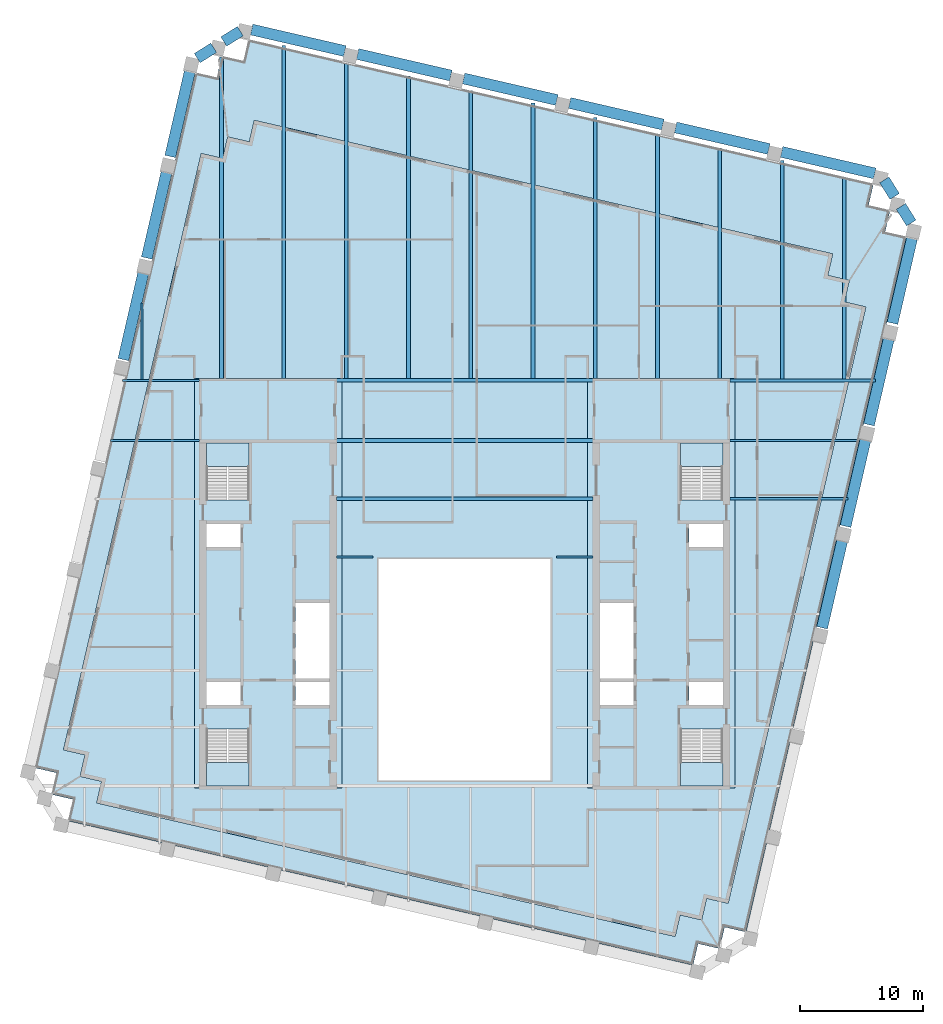
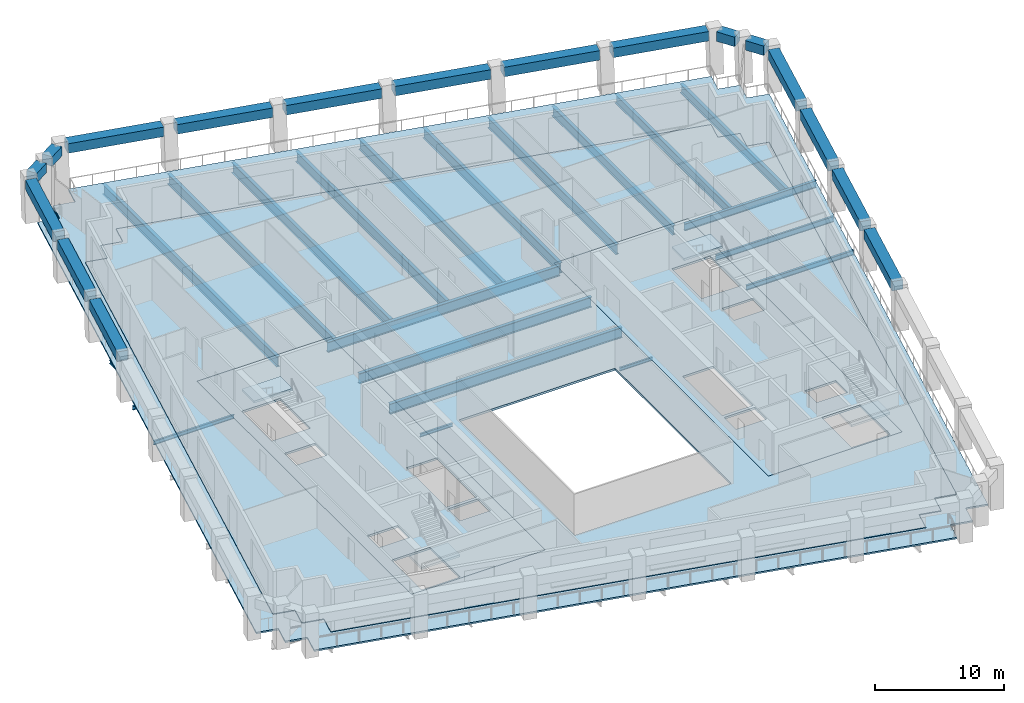
# One storey, part 2 of 9: 39 beams, 8 slabs, 4 elements without a shape of their own.
"""IFC4 building model written with IfcOpenShell, lengths in metres."""

from ifc_helpers import new_model, si_unit, direction, frame, origin, origin_2d, place, context, subcontext, project, spatial, polyline, rectangle, i_section, outline, extrude, material, layer, layer_set, material_profile, profile_set, type_object, element, aggregate, save


model = new_model("IFC4")

# Units and contexts
model_context = context("Model", 3, precision=1e-05, world=origin(), true_north=direction((0.0, 1.0)))
body_context = subcontext(model_context, "Body", "Model", "MODEL_VIEW")
ifc_project = project(units=[si_unit("LENGTHUNIT", "METRE"), si_unit("AREAUNIT", "SQUARE_METRE"), si_unit("VOLUMEUNIT", "CUBIC_METRE"), si_unit("PLANEANGLEUNIT", "RADIAN"), si_unit("MASSUNIT", "GRAM", prefix="KILO")], contexts=[model_context])

# Site, building, storey
site_placement = place(None, origin())
site = spatial("IfcSite", under=ifc_project, at=site_placement, CompositionType="ELEMENT")
building_placement = place(site_placement, origin())
building = spatial("IfcBuilding", under=site, at=building_placement, Name="Ogive Exchange Tower", CompositionType="ELEMENT")
storey_placement = place(building_placement, frame((0.0, 0.0, 285.0)))
storey = spatial("IfcBuildingStorey", under=building, at=storey_placement, Name="L62", CompositionType="ELEMENT", Elevation=285.0)

# Beams
ifc_material_1 = material(Name="Steel ASTM A992 Gr50", Category="steel")
ifc_material_profile_1 = material_profile(ifc_material_1, i_section(OverallWidth=0.300048828125, OverallDepth=0.969970703125, WebThickness=0.01611328125, FlangeThickness=0.02099609375, at=origin_2d()), Name="W1000x222")
ifc_profile_set_1 = profile_set([ifc_material_profile_1], Name="Steel ASTM A992 Gr50")
beam_type_1 = type_object("IfcBeamType", Name="Floor beam W1000x222", PredefinedType="JOIST", material=ifc_profile_set_1)
beam_1_placement = place(storey_placement, frame((15.69189453125, 30.699951171875, -0.68505859375), z_axis=(0.0, 1.0, 0.0), x_axis=(-1.0, 0.0, 0.0)))
element("IfcBeam", 1, at=beam_1_placement, inside=storey, type_object=beam_type_1, Name="Floor beam", PredefinedType="JOIST", context=body_context, shape_type="SweptSolid", body=[
    extrude(i_section(OverallWidth=0.300048828125, OverallDepth=0.969970703125, WebThickness=0.01611328125, FlangeThickness=0.02099609375, at=origin_2d()), origin(), (0.0, 0.0, 1.0), 19.90673828125),
])
ifc_material_profile_2 = material_profile(ifc_material_1, i_section(OverallWidth=0.300048828125, OverallDepth=0.97998046875, WebThickness=0.0166015625, FlangeThickness=0.026123046875, at=origin_2d()), Name="W1000x249")
ifc_profile_set_2 = profile_set([ifc_material_profile_2], Name="Steel ASTM A992 Gr50")
beam_type_2 = type_object("IfcBeamType", Name="Floor beam W1000x249", PredefinedType="JOIST", material=ifc_profile_set_2)
for number, where, z_axis, x_axis, name in (
    (2, (-10.419921875, 20.89990234375, -0.68994140625), (1.0, 0.0, 0.0), (0.0, 1.0, 0.0), "Floor beam"),
    (3, (-10.419921875, 25.64501953125, -0.68994140625), (1.0, 0.0, 0.0), (0.0, 1.0, 0.0), "Floor beam"),
):
    element("IfcBeam", number, at=place(storey_placement, frame(where, z_axis=z_axis, x_axis=x_axis)), inside=storey, type_object=beam_type_2, Name=name, PredefinedType="JOIST", context=body_context, shape_type="SweptSolid", body=[
        extrude(i_section(OverallWidth=0.300048828125, OverallDepth=0.97998046875, WebThickness=0.0166015625, FlangeThickness=0.026123046875, at=origin_2d()), origin(), (0.0, 0.0, 1.0), 20.83984375),
    ])
beam_2_placement = place(storey_placement, frame((-19.777587890625, 30.699951171875, -0.68994140625), z_axis=(0.0, 1.0, 0.0), x_axis=(-1.0, 0.0, 0.0)))
element("IfcBeam", 4, at=beam_2_placement, inside=storey, type_object=beam_type_2, Name="Floor beam", PredefinedType="JOIST", context=body_context, shape_type="SweptSolid", body=[
    extrude(i_section(OverallWidth=0.300048828125, OverallDepth=0.97998046875, WebThickness=0.0166015625, FlangeThickness=0.026123046875, at=origin_2d()), origin(), (0.0, 0.0, 1.0), 26.1611328125),
])
beam_3_placement = place(storey_placement, frame((-14.71044921875, 30.699951171875, -0.68994140625), z_axis=(0.0, 1.0, 0.0), x_axis=(-1.0, 0.0, 0.0)))
element("IfcBeam", 5, at=beam_3_placement, inside=storey, type_object=beam_type_2, Name="Floor beam", PredefinedType="JOIST", context=body_context, shape_type="SweptSolid", body=[
    extrude(i_section(OverallWidth=0.300048828125, OverallDepth=0.97998046875, WebThickness=0.0166015625, FlangeThickness=0.026123046875, at=origin_2d()), origin(), (0.0, 0.0, 1.0), 27.075439453125),
])
beam_4_placement = place(storey_placement, frame((-9.643310546875, 30.695068359375, -0.68994140625), z_axis=(0.0, 1.0, 0.0), x_axis=(-1.0, 0.0, 0.0)))
element("IfcBeam", 6, at=beam_4_placement, inside=storey, type_object=beam_type_2, Name="Floor beam", PredefinedType="JOIST", context=body_context, shape_type="SweptSolid", body=[
    extrude(i_section(OverallWidth=0.300048828125, OverallDepth=0.97998046875, WebThickness=0.0166015625, FlangeThickness=0.026123046875, at=origin_2d()), origin(), (0.0, 0.0, 1.0), 25.7607421875),
])
beam_5_placement = place(storey_placement, frame((-4.576416015625, 30.695068359375, -0.68994140625), z_axis=(0.0, 1.0, 0.0), x_axis=(-1.0, 0.0, 0.0)))
element("IfcBeam", 7, at=beam_5_placement, inside=storey, type_object=beam_type_2, Name="Floor beam", PredefinedType="JOIST", context=body_context, shape_type="SweptSolid", body=[
    extrude(i_section(OverallWidth=0.300048828125, OverallDepth=0.97998046875, WebThickness=0.0166015625, FlangeThickness=0.026123046875, at=origin_2d()), origin(), (0.0, 0.0, 1.0), 24.5908203125),
])
beam_6_placement = place(storey_placement, frame((0.49072265625, 30.695068359375, -0.68994140625), z_axis=(0.0, 1.0, 0.0), x_axis=(-1.0, 0.0, 0.0)))
element("IfcBeam", 8, at=beam_6_placement, inside=storey, type_object=beam_type_2, Name="Floor beam", PredefinedType="JOIST", context=body_context, shape_type="SweptSolid", body=[
    extrude(i_section(OverallWidth=0.300048828125, OverallDepth=0.97998046875, WebThickness=0.0166015625, FlangeThickness=0.026123046875, at=origin_2d()), origin(), (0.0, 0.0, 1.0), 23.421142578125),
])
beam_7_placement = place(storey_placement, frame((5.557861328125, 30.695068359375, -0.68994140625), z_axis=(0.0, 1.0, 0.0), x_axis=(-1.0, 0.0, 0.0)))
element("IfcBeam", 9, at=beam_7_placement, inside=storey, type_object=beam_type_2, Name="Floor beam", PredefinedType="JOIST", context=body_context, shape_type="SweptSolid", body=[
    extrude(i_section(OverallWidth=0.300048828125, OverallDepth=0.97998046875, WebThickness=0.0166015625, FlangeThickness=0.026123046875, at=origin_2d()), origin(), (0.0, 0.0, 1.0), 22.401123046875),
])
beam_8_placement = place(storey_placement, frame((10.625, 30.699951171875, -0.68994140625), z_axis=(0.0, 1.0, 0.0), x_axis=(-1.0, 0.0, 0.0)))
element("IfcBeam", 10, at=beam_8_placement, inside=storey, type_object=beam_type_2, Name="Floor beam", PredefinedType="JOIST", context=body_context, shape_type="SweptSolid", body=[
    extrude(i_section(OverallWidth=0.300048828125, OverallDepth=0.97998046875, WebThickness=0.0166015625, FlangeThickness=0.026123046875, at=origin_2d()), origin(), (0.0, 0.0, 1.0), 21.2265625),
])
ifc_material_profile_3 = material_profile(ifc_material_1, i_section(OverallWidth=0.1650390625, OverallDepth=0.31005859375, WebThickness=0.005859375, FlangeThickness=0.009765625, at=origin_2d()), Name="W310x38.7")
ifc_profile_set_3 = profile_set([ifc_material_profile_3], Name="Steel ASTM A992 Gr50")
beam_type_3 = type_object("IfcBeamType", Name="Floor beam W310x38.7", PredefinedType="JOIST", material=ifc_profile_set_3)
beam_9_placement = place(storey_placement, frame((-26.24462890625, 30.630615234375, -0.35498046875), z_axis=(0.0, 1.0, 0.0), x_axis=(-1.0, 0.0, 0.0)))
element("IfcBeam", 11, at=beam_9_placement, inside=storey, type_object=beam_type_3, Name="Floor beam", PredefinedType="JOIST", context=body_context, shape_type="SweptSolid", body=[
    extrude(i_section(OverallWidth=0.1650390625, OverallDepth=0.31005859375, WebThickness=0.005859375, FlangeThickness=0.009765625, at=origin_2d()), origin(), (0.0, 0.0, 1.0), 6.22021484375),
])
ifc_material_profile_4 = material_profile(ifc_material_1, i_section(OverallWidth=0.1708984375, OverallDepth=0.35595703125, WebThickness=0.00732421875, FlangeThickness=0.01171875, at=origin_2d()), Name="W360x51")
ifc_profile_set_4 = profile_set([ifc_material_profile_4], Name="Steel ASTM A992 Gr50")
beam_type_4 = type_object("IfcBeamType", Name="Floor beam W360x51", PredefinedType="JOIST", material=ifc_profile_set_4)
beam_10_placement = place(storey_placement, frame((-28.831787109375, 25.64501953125, -0.3779296875), z_axis=(1.0, 0.0, 0.0), x_axis=(0.0, 1.0, 0.0)))
element("IfcBeam", 12, at=beam_10_placement, inside=storey, type_object=beam_type_4, Name="Floor beam", PredefinedType="JOIST", context=body_context, shape_type="SweptSolid", body=[
    extrude(i_section(OverallWidth=0.1708984375, OverallDepth=0.35595703125, WebThickness=0.00732421875, FlangeThickness=0.01171875, at=origin_2d()), origin(), (0.0, 0.0, 1.0), 7.251708984375),
])
ifc_material_profile_5 = material_profile(ifc_material_1, i_section(OverallWidth=0.19189453125, OverallDepth=0.4619140625, WebThickness=0.010498046875, FlangeThickness=0.017578125, at=origin_2d()), Name="W460x89")
ifc_profile_set_5 = profile_set([ifc_material_profile_5], Name="Steel ASTM A992 Gr50")
beam_type_5 = type_object("IfcBeamType", Name="Floor beam W460x89", PredefinedType="JOIST", material=ifc_profile_set_5)
beam_11_placement = place(storey_placement, frame((21.580078125, 20.89990234375, -0.430908203125), z_axis=(1.0, 0.0, 0.0), x_axis=(0.0, 1.0, 0.0)))
element("IfcBeam", 13, at=beam_11_placement, inside=storey, type_object=beam_type_5, Name="Floor beam", PredefinedType="JOIST", context=body_context, shape_type="SweptSolid", body=[
    extrude(i_section(OverallWidth=0.19189453125, OverallDepth=0.4619140625, WebThickness=0.010498046875, FlangeThickness=0.017578125, at=origin_2d()), origin(), (0.0, 0.0, 1.0), 9.605224609375),
])
ifc_material_profile_6 = material_profile(ifc_material_1, i_section(OverallWidth=0.1669921875, OverallDepth=0.535888671875, WebThickness=0.01025390625, FlangeThickness=0.0166015625, at=origin_2d()), Name="W530x85")
ifc_profile_set_6 = profile_set([ifc_material_profile_6], Name="Steel ASTM A992 Gr50")
beam_type_6 = type_object("IfcBeamType", Name="Floor beam W530x85", PredefinedType="JOIST", material=ifc_profile_set_6)
beam_12_placement = place(storey_placement, frame((21.580078125, 25.64501953125, -0.468017578125), z_axis=(1.0, 0.0, 0.0), x_axis=(0.0, 1.0, 0.0)))
element("IfcBeam", 14, at=beam_12_placement, inside=storey, type_object=beam_type_6, Name="Floor beam", PredefinedType="JOIST", context=body_context, shape_type="SweptSolid", body=[
    extrude(i_section(OverallWidth=0.1669921875, OverallDepth=0.535888671875, WebThickness=0.01025390625, FlangeThickness=0.0166015625, at=origin_2d()), origin(), (0.0, 0.0, 1.0), 10.55078125),
])
ifc_material_profile_7 = material_profile(ifc_material_1, i_section(OverallWidth=0.2919921875, OverallDepth=0.8359375, WebThickness=0.013916015625, FlangeThickness=0.018798828125, at=origin_2d()), Name="W840x176")
ifc_profile_set_7 = profile_set([ifc_material_profile_7], Name="Steel ASTM A992 Gr50")
beam_type_7 = type_object("IfcBeamType", Name="Floor beam W840x176", PredefinedType="JOIST", material=ifc_profile_set_7)
beam_13_placement = place(storey_placement, frame((30.893310546875, 30.672119140625, -0.617919921875), z_axis=(0.0, 1.0, 0.0), x_axis=(-1.0, 0.0, 0.0)))
element("IfcBeam", 15, at=beam_13_placement, inside=storey, type_object=beam_type_7, Name="Floor beam", PredefinedType="JOIST", context=body_context, shape_type="SweptSolid", body=[
    extrude(i_section(OverallWidth=0.2919921875, OverallDepth=0.8359375, WebThickness=0.013916015625, FlangeThickness=0.018798828125, at=origin_2d()), origin(), (0.0, 0.0, 1.0), 16.425048828125),
])
ifc_material_profile_8 = material_profile(ifc_material_1, i_section(OverallWidth=0.2919921875, OverallDepth=0.845947265625, WebThickness=0.015380859375, FlangeThickness=0.0244140625, at=origin_2d()), Name="W840x210")
ifc_profile_set_8 = profile_set([ifc_material_profile_8], Name="Steel ASTM A992 Gr50")
beam_type_8 = type_object("IfcBeamType", Name="Floor beam W840x210", PredefinedType="JOIST", material=ifc_profile_set_8)
beam_14_placement = place(storey_placement, frame((25.826171875, 30.672119140625, -0.623046875), z_axis=(0.0, 1.0, 0.0), x_axis=(-1.0, 0.0, 0.0)))
element("IfcBeam", 16, at=beam_14_placement, inside=storey, type_object=beam_type_8, Name="Floor beam", PredefinedType="JOIST", context=body_context, shape_type="SweptSolid", body=[
    extrude(i_section(OverallWidth=0.2919921875, OverallDepth=0.845947265625, WebThickness=0.015380859375, FlangeThickness=0.0244140625, at=origin_2d()), origin(), (0.0, 0.0, 1.0), 17.744873046875),
])
ifc_material_profile_9 = material_profile(ifc_material_1, i_section(OverallWidth=0.304931640625, OverallDepth=0.904052734375, WebThickness=0.01513671875, FlangeThickness=0.02001953125, at=origin_2d()), Name="W920x201")
ifc_profile_set_9 = profile_set([ifc_material_profile_9], Name="Steel ASTM A992 Gr50")
beam_type_9 = type_object("IfcBeamType", Name="Floor beam W920x201", PredefinedType="JOIST", material=ifc_profile_set_9)
beam_15_placement = place(storey_placement, frame((20.759033203125, 30.699951171875, -0.652099609375), z_axis=(0.0, 1.0, 0.0), x_axis=(-1.0, 0.0, 0.0)))
element("IfcBeam", 17, at=beam_15_placement, inside=storey, type_object=beam_type_9, Name="Floor beam", PredefinedType="JOIST", context=body_context, shape_type="SweptSolid", body=[
    extrude(i_section(OverallWidth=0.304931640625, OverallDepth=0.904052734375, WebThickness=0.01513671875, FlangeThickness=0.02001953125, at=origin_2d()), origin(), (0.0, 0.0, 1.0), 18.73681640625),
])
ifc_material_profile_10 = material_profile(ifc_material_1, i_section(OverallWidth=0.300048828125, OverallDepth=0.97998046875, WebThickness=0.0166015625, FlangeThickness=0.026123046875, at=origin_2d()), Name="W1000x249")
ifc_profile_set_10 = profile_set([ifc_material_profile_10], Name="Steel ASTM A992 Gr50")
beam_type_10 = type_object("IfcBeamType", Name="Girder W1000x249", PredefinedType="BEAM", material=ifc_profile_set_10)
beam_16_placement = place(storey_placement, frame((-10.419921875, 30.544921875, -0.68994140625), z_axis=(1.0, 0.0, 0.0), x_axis=(0.0, 1.0, 0.0)))
element("IfcBeam", 18, at=beam_16_placement, inside=storey, type_object=beam_type_10, Name="Header girder", PredefinedType="BEAM", context=body_context, shape_type="SweptSolid", body=[
    extrude(i_section(OverallWidth=0.300048828125, OverallDepth=0.97998046875, WebThickness=0.0166015625, FlangeThickness=0.026123046875, at=origin_2d()), origin(), (0.0, 0.0, 1.0), 20.83984375),
])
ifc_material_profile_11 = material_profile(ifc_material_1, i_section(OverallWidth=0.1650390625, OverallDepth=0.31005859375, WebThickness=0.005859375, FlangeThickness=0.009765625, at=origin_2d()), Name="W310x38.7")
ifc_profile_set_11 = profile_set([ifc_material_profile_11], Name="Steel ASTM A992 Gr50")
beam_type_11 = type_object("IfcBeamType", Name="Girder W310x38.7", PredefinedType="BEAM", material=ifc_profile_set_11)
for number, where, z_axis, x_axis, name in (
    (19, (-10.419921875, 16.155029296875, -0.35498046875), (1.0, 0.0, 0.0), (0.0, 1.0, 0.0), "Trimmer girder"),
    (20, (7.469970703125, 16.155029296875, -0.35498046875), (1.0, 0.0, 0.0), (0.0, 1.0, 0.0), "Trimmer girder"),
):
    element("IfcBeam", number, at=place(storey_placement, frame(where, z_axis=z_axis, x_axis=x_axis)), inside=storey, type_object=beam_type_11, Name=name, PredefinedType="BEAM", context=body_context, shape_type="SweptSolid", body=[
        extrude(i_section(OverallWidth=0.1650390625, OverallDepth=0.31005859375, WebThickness=0.005859375, FlangeThickness=0.009765625, at=origin_2d()), origin(), (0.0, 0.0, 1.0), 2.949951171875),
    ])
ifc_material_profile_12 = material_profile(ifc_material_1, i_section(OverallWidth=0.1708984375, OverallDepth=0.35595703125, WebThickness=0.00732421875, FlangeThickness=0.01171875, at=origin_2d()), Name="W360x51")
ifc_profile_set_12 = profile_set([ifc_material_profile_12], Name="Steel ASTM A992 Gr50")
beam_type_12 = type_object("IfcBeamType", Name="Girder W360x51", PredefinedType="BEAM", material=ifc_profile_set_12)
beam_17_placement = place(storey_placement, frame((-27.850341796875, 30.544921875, -0.3779296875), z_axis=(1.0, 0.0, 0.0), x_axis=(0.0, 1.0, 0.0)))
element("IfcBeam", 21, at=beam_17_placement, inside=storey, type_object=beam_type_12, Name="Header girder", PredefinedType="BEAM", context=body_context, shape_type="SweptSolid", body=[
    extrude(i_section(OverallWidth=0.1708984375, OverallDepth=0.35595703125, WebThickness=0.00732421875, FlangeThickness=0.01171875, at=origin_2d()), origin(), (0.0, 0.0, 1.0), 6.270263671875),
])
ifc_material_profile_13 = material_profile(ifc_material_1, i_section(OverallWidth=0.25390625, OverallDepth=0.677978515625, WebThickness=0.01171875, FlangeThickness=0.016357421875, at=origin_2d()), Name="W690x125")
ifc_profile_set_13 = profile_set([ifc_material_profile_13], Name="Steel ASTM A992 Gr50")
beam_type_13 = type_object("IfcBeamType", Name="Girder W690x125", PredefinedType="BEAM", material=ifc_profile_set_13)
beam_18_placement = place(storey_placement, frame((21.580078125, 30.544921875, -0.5390625), z_axis=(1.0, 0.0, 0.0), x_axis=(0.0, 1.0, 0.0)))
element("IfcBeam", 22, at=beam_18_placement, inside=storey, type_object=beam_type_13, Name="Header girder", PredefinedType="BEAM", context=body_context, shape_type="SweptSolid", body=[
    extrude(i_section(OverallWidth=0.25390625, OverallDepth=0.677978515625, WebThickness=0.01171875, FlangeThickness=0.016357421875, at=origin_2d()), origin(), (0.0, 0.0, 1.0), 11.83203125),
])
ifc_material_2 = material(Name="Precast concrete C70/85 (limestone faced)", Category="masonry")
ifc_material_profile_14 = material_profile(ifc_material_2, rectangle(XDim=0.89990234375, YDim=0.89990234375, at=origin_2d()), Name="900 x 900")
ifc_profile_set_14 = profile_set([ifc_material_profile_14], Name="Precast concrete C70/85 (limestone faced)")
beam_type_14 = type_object("IfcBeamType", Name="Precast spandrel 900 x 900 C70/85", PredefinedType="SPANDREL", material=ifc_profile_set_14)
for number, where, z_axis, x_axis, name in (
    (23, (29.07666015625, 10.415771484375, 3.5), (0.224955653932, 0.974369002875, 0.0), (-0.974369002875, 0.224955653932, 0.0), "Spandrel 12"),
    (24, (30.98388671875, 18.676513671875, 3.5), (0.224955653932, 0.974369002875, 0.0), (-0.974369002875, 0.224955653932, 0.0), "Spandrel 13"),
    (25, (32.890869140625, 26.93701171875, 3.5), (0.224955653932, 0.974369002875, 0.0), (-0.974369002875, 0.224955653932, 0.0), "Spandrel 14"),
    (26, (34.798095703125, 35.197509765625, 3.5), (0.224955653932, 0.974369002875, 0.0), (-0.974369002875, 0.224955653932, 0.0), "Spandrel 15"),
):
    element("IfcBeam", number, at=place(storey_placement, frame(where, z_axis=z_axis, x_axis=x_axis)), inside=storey, type_object=beam_type_14, Name=name, PredefinedType="SPANDREL", context=body_context, shape_type="SweptSolid", body=[
        extrude(rectangle(XDim=0.89990234375, YDim=0.89990234375, at=origin_2d()), origin(), (0.0, 0.0, 1.0), 7.41796875),
    ])
beam_19_placement = place(storey_placement, frame((36.332763671875, 43.34716796875, 3.5), z_axis=(-0.529971331567, 0.848015558653, 0.0), x_axis=(-0.848015558653, -0.529971331567, 0.0)))
element("IfcBeam", 27, at=beam_19_placement, inside=storey, type_object=beam_type_14, Name="Spandrel 16", PredefinedType="SPANDREL", context=body_context, shape_type="SweptSolid", body=[
    extrude(rectangle(XDim=0.89990234375, YDim=0.89990234375, at=origin_2d()), origin(), (0.0, 0.0, 1.0), 1.58984375),
])
beam_20_placement = place(storey_placement, frame((34.98388671875, 45.505859375, 3.5), z_axis=(-0.53001274109, 0.84798967817, 0.0), x_axis=(-0.84798967817, -0.53001274109, 0.0)))
element("IfcBeam", 28, at=beam_20_placement, inside=storey, type_object=beam_type_14, Name="Spandrel 17", PredefinedType="SPANDREL", context=body_context, shape_type="SweptSolid", body=[
    extrude(rectangle(XDim=0.89990234375, YDim=0.89990234375, at=origin_2d()), origin(), (0.0, 0.0, 1.0), 1.590087890625),
])
beam_21_placement = place(storey_placement, frame((33.37158203125, 47.378662109375, 3.5), z_axis=(-0.974367949416, 0.224960216819, 0.0), x_axis=(-0.224960216819, -0.974367949416, 0.0)))
element("IfcBeam", 29, at=beam_21_placement, inside=storey, type_object=beam_type_14, Name="Spandrel 18", PredefinedType="SPANDREL", context=body_context, shape_type="SweptSolid", body=[
    extrude(rectangle(XDim=0.89990234375, YDim=0.89990234375, at=origin_2d()), origin(), (0.0, 0.0, 1.0), 7.7900390625),
])
beam_22_placement = place(storey_placement, frame((24.748291015625, 49.369384765625, 3.5), z_axis=(-0.974366363305, 0.224967086616, 0.0), x_axis=(-0.224967086616, -0.974366363305, 0.0)))
element("IfcBeam", 30, at=beam_22_placement, inside=storey, type_object=beam_type_14, Name="Spandrel 19", PredefinedType="SPANDREL", context=body_context, shape_type="SweptSolid", body=[
    extrude(rectangle(XDim=0.89990234375, YDim=0.89990234375, at=origin_2d()), origin(), (0.0, 0.0, 1.0), 7.789794921875),
])
beam_23_placement = place(storey_placement, frame((16.125244140625, 51.3603515625, 3.5), z_axis=(-0.974374818602, 0.224930462307, 0.0), x_axis=(-0.224930462307, -0.974374818602, 0.0)))
element("IfcBeam", 31, at=beam_23_placement, inside=storey, type_object=beam_type_14, Name="Spandrel 20", PredefinedType="SPANDREL", context=body_context, shape_type="SweptSolid", body=[
    extrude(rectangle(XDim=0.89990234375, YDim=0.89990234375, at=origin_2d()), origin(), (0.0, 0.0, 1.0), 7.7900390625),
])
beam_24_placement = place(storey_placement, frame((7.502197265625, 53.35107421875, 3.5), z_axis=(-0.974369535382, 0.224953347431, 0.0), x_axis=(-0.224953347431, -0.974369535382, 0.0)))
element("IfcBeam", 32, at=beam_24_placement, inside=storey, type_object=beam_type_14, Name="Spandrel 21", PredefinedType="SPANDREL", context=body_context, shape_type="SweptSolid", body=[
    extrude(rectangle(XDim=0.89990234375, YDim=0.89990234375, at=origin_2d()), origin(), (0.0, 0.0, 1.0), 7.790283203125),
])
for number, where, z_axis, x_axis, name in (
    (33, (-1.12109375, 55.341796875, 3.5), (-0.974367949416, 0.224960216819, 0.0), (-0.224960216819, -0.974367949416, 0.0), "Spandrel 22"),
    (34, (-9.744384765625, 57.332763671875, 3.5), (-0.974367949416, 0.224960216819, 0.0), (-0.224960216819, -0.974367949416, 0.0), "Spandrel 23"),
):
    element("IfcBeam", number, at=place(storey_placement, frame(where, z_axis=z_axis, x_axis=x_axis)), inside=storey, type_object=beam_type_14, Name=name, PredefinedType="SPANDREL", context=body_context, shape_type="SweptSolid", body=[
        extrude(rectangle(XDim=0.89990234375, YDim=0.89990234375, at=origin_2d()), origin(), (0.0, 0.0, 1.0), 7.7900390625),
    ])
beam_25_placement = place(storey_placement, frame((-18.25634765625, 58.951171875, 3.5), z_axis=(-0.848015558653, -0.529971331567, 0.0), x_axis=(0.529971331567, -0.848015558653, 0.0)))
element("IfcBeam", 35, at=beam_25_placement, inside=storey, type_object=beam_type_14, Name="Spandrel 24", PredefinedType="SPANDREL", context=body_context, shape_type="SweptSolid", body=[
    extrude(rectangle(XDim=0.89990234375, YDim=0.89990234375, at=origin_2d()), origin(), (0.0, 0.0, 1.0), 1.58984375),
])
beam_26_placement = place(storey_placement, frame((-20.4150390625, 57.602294921875, 3.5), z_axis=(-0.84798967817, -0.53001274109, 0.0), x_axis=(0.53001274109, -0.84798967817, 0.0)))
element("IfcBeam", 36, at=beam_26_placement, inside=storey, type_object=beam_type_14, Name="Spandrel 25", PredefinedType="SPANDREL", context=body_context, shape_type="SweptSolid", body=[
    extrude(rectangle(XDim=0.89990234375, YDim=0.89990234375, at=origin_2d()), origin(), (0.0, 0.0, 1.0), 1.590087890625),
])
for number, where, z_axis, x_axis, name in (
    (37, (-22.287841796875, 55.989990234375, 3.5), (-0.224955653932, -0.974369002875, 0.0), (0.974369002875, -0.224955653932, 0.0), "Spandrel 26"),
    (38, (-24.19482421875, 47.7294921875, 3.5), (-0.224955653932, -0.974369002875, 0.0), (0.974369002875, -0.224955653932, 0.0), "Spandrel 27"),
    (39, (-26.10205078125, 39.46875, 3.5), (-0.224955653932, -0.974369002875, 0.0), (0.974369002875, -0.224955653932, 0.0), "Spandrel 28"),
):
    element("IfcBeam", number, at=place(storey_placement, frame(where, z_axis=z_axis, x_axis=x_axis)), inside=storey, type_object=beam_type_14, Name=name, PredefinedType="SPANDREL", context=body_context, shape_type="SweptSolid", body=[
        extrude(rectangle(XDim=0.89990234375, YDim=0.89990234375, at=origin_2d()), origin(), (0.0, 0.0, 1.0), 7.41796875),
    ])

# Slabs
ifc_material_3 = material(Name="Concrete C50/60", Category="concrete")
ifc_layer_1 = layer(ifc_material_3, 0.199951171875)
ifc_layer_set_1 = layer_set([ifc_layer_1], Name="Composite floor slab 200")
slab_type_1 = type_object("IfcSlabType", Name="Composite floor slab 200", PredefinedType="FLOOR", material=ifc_layer_set_1)
slab_1_placement = place(storey_placement, frame((0.0, 0.0, -0.199951171875)))
element("IfcSlab", 40, at=slab_1_placement, inside=storey, type_object=slab_type_1, Name="Composite floor slab", PredefinedType="FLOOR", context=body_context, shape_type="SweptSolid", body=[
    extrude(outline(polyline([(-29.537109375, -2.0830078125), (-31.291015625, -1.67822265625), (-30.88623046875, 0.07568359375), (-32.64013671875, 0.480712890625), (-21.4375, 49.004150390625), (-19.68359375, 48.599365234375), (-19.27880859375, 50.353271484375), (-17.52490234375, 49.9482421875), (-17.119873046875, 51.7021484375), (29.942138671875, 40.8369140625), (29.537109375, 39.0830078125), (31.291015625, 38.67822265625), (30.88623046875, 36.92431640625), (32.64013671875, 36.519287109375), (21.4375, -12.004150390625), (19.68359375, -11.599365234375), (19.27880859375, -13.353271484375), (17.52490234375, -12.9482421875), (17.119873046875, -14.7021484375), (-29.942138671875, -3.8369140625), (-29.537109375, -2.0830078125)]), holes=[polyline([(7.0, -2.0), (7.0, 16.0), (-7.0, 16.0), (-7.0, -2.0), (7.0, -2.0)]), polyline([(-22.0, -2.60009765625), (-10.0, -2.60009765625), (-10.0, 30.699951171875), (-22.0, 30.699951171875), (-22.0, -2.60009765625)]), polyline([(10.0, -2.60009765625), (22.0, -2.60009765625), (22.0, 30.699951171875), (10.0, 30.699951171875), (10.0, -2.60009765625)])]), origin(), (0.0, 0.0, 1.0), 0.199951171875),
])
ifc_material_4 = material(Name="Concrete C70/85", Category="concrete")
ifc_layer_2 = layer(ifc_material_4, 0.199951171875)
ifc_layer_set_2 = layer_set([ifc_layer_2], Name="Core floor slab 200")
slab_type_2 = type_object("IfcSlabType", Name="Core floor slab 200", PredefinedType="FLOOR", material=ifc_layer_set_2)
slab_2_placement = place(storey_placement, frame((0.0, 0.0, -0.199951171875)))
element("IfcSlab", 41, at=slab_2_placement, inside=storey, type_object=slab_type_2, Name="Core floor slab", PredefinedType="FLOOR", context=body_context, shape_type="SweptSolid", body=[
    extrude(outline(polyline([(-22.0, -2.60009765625), (-22.0, 30.699951171875), (-10.0, 30.699951171875), (-10.0, -2.60009765625), (-22.0, -2.60009765625)]), holes=[polyline([(-17.550048828125, 2.196044921875), (-21.0, 2.196044921875), (-21.0, -2.449951171875), (-17.550048828125, -2.449951171875), (-17.550048828125, 2.196044921875)]), polyline([(-18.25, 5.992919921875), (-21.0, 5.992919921875), (-21.0, 4.14990234375), (-18.25, 4.14990234375), (-18.25, 5.992919921875)]), polyline([(-11.0, 5.992919921875), (-13.75, 5.992919921875), (-13.75, 4.14990234375), (-11.0, 4.14990234375), (-11.0, 5.992919921875)]), polyline([(-13.75, 12.42138671875), (-13.75, 6.29296875), (-11.0, 6.29296875), (-11.0, 12.42138671875), (-13.75, 12.42138671875)]), polyline([(-18.25, 18.85009765625), (-21.0, 18.85009765625), (-21.0, 17.007080078125), (-18.25, 17.007080078125), (-18.25, 18.85009765625)]), polyline([(-21.0, 25.449951171875), (-21.0, 20.803955078125), (-17.550048828125, 20.803955078125), (-17.550048828125, 25.449951171875), (-21.0, 25.449951171875)])]), origin(), (0.0, 0.0, 1.0), 0.199951171875),
])
slab_3_placement = place(storey_placement, frame((0.0, 0.0, -0.199951171875)))
element("IfcSlab", 42, at=slab_3_placement, inside=storey, type_object=slab_type_2, Name="Core floor slab", PredefinedType="FLOOR", context=body_context, shape_type="SweptSolid", body=[
    extrude(outline(polyline([(10.0, -2.60009765625), (10.0, 30.699951171875), (22.0, 30.699951171875), (22.0, -2.60009765625), (10.0, -2.60009765625)]), holes=[polyline([(21.0, 2.196044921875), (17.550048828125, 2.196044921875), (17.550048828125, -2.449951171875), (21.0, -2.449951171875), (21.0, 2.196044921875)]), polyline([(13.75, 5.992919921875), (11.0, 5.992919921875), (11.0, 4.14990234375), (13.75, 4.14990234375), (13.75, 5.992919921875)]), polyline([(21.0, 5.992919921875), (18.25, 5.992919921875), (18.25, 4.14990234375), (21.0, 4.14990234375), (21.0, 5.992919921875)]), polyline([(11.0, 12.42138671875), (11.0, 6.29296875), (13.75, 6.29296875), (13.75, 12.42138671875), (11.0, 12.42138671875)]), polyline([(21.0, 18.85009765625), (18.25, 18.85009765625), (18.25, 17.007080078125), (21.0, 17.007080078125), (21.0, 18.85009765625)]), polyline([(17.550048828125, 25.449951171875), (17.550048828125, 20.803955078125), (21.0, 20.803955078125), (21.0, 25.449951171875), (17.550048828125, 25.449951171875)])]), origin(), (0.0, 0.0, 1.0), 0.199951171875),
])
ifc_layer_3 = layer(ifc_material_3, 0.14990234375)
ifc_layer_set_3 = layer_set([ifc_layer_3], Name="Loggia deck 150")
slab_type_3 = type_object("IfcSlabType", Name="Loggia deck 150", PredefinedType="FLOOR", material=ifc_layer_set_3)
slab_4_placement = place(storey_placement, frame((0.0, 0.0, -0.199951171875)))
element("IfcSlab", 43, at=slab_4_placement, inside=storey, type_object=slab_type_3, Name="Loggia deck", PredefinedType="FLOOR", context=body_context, shape_type="SweptSolid", body=[
    extrude(outline(polyline([(-31.8759765625, -3.54443359375), (-33.6298828125, -3.1396484375), (-33.224853515625, -1.3857421875), (-34.978759765625, -0.980712890625), (-21.917236328125, 55.5947265625), (-20.163330078125, 55.189697265625), (-19.758544921875, 56.943603515625), (-18.004638671875, 56.538818359375), (-17.599609375, 58.29248046875), (33.262451171875, 46.550048828125), (32.857421875, 44.79638671875), (34.611328125, 44.391357421875), (34.20654296875, 42.637451171875), (35.960205078125, 42.232666015625), (22.89892578125, -14.343017578125), (21.14501953125, -13.93798828125), (20.739990234375, -15.69189453125), (18.986083984375, -15.286865234375), (18.581298828125, -17.040771484375), (-32.28076171875, -5.29833984375), (-31.8759765625, -3.54443359375)]), holes=[polyline([(17.52490234375, -12.9482421875), (19.27880859375, -13.353271484375), (19.68359375, -11.599365234375), (21.4375, -12.004150390625), (32.64013671875, 36.519287109375), (30.88623046875, 36.92431640625), (31.291015625, 38.67822265625), (29.537109375, 39.0830078125), (29.942138671875, 40.8369140625), (-17.119873046875, 51.7021484375), (-17.52490234375, 49.9482421875), (-19.27880859375, 50.353271484375), (-19.68359375, 48.599365234375), (-21.4375, 49.004150390625), (-32.64013671875, 0.480712890625), (-30.88623046875, 0.07568359375), (-31.291015625, -1.67822265625), (-29.537109375, -2.0830078125), (-29.942138671875, -3.8369140625), (17.119873046875, -14.7021484375), (17.52490234375, -12.9482421875)])]), origin(), (0.0, 0.0, 1.0), 0.14990234375),
])

# Stair, slab
ifc_material_5 = material(Name="Concrete C40/50", Category="concrete")
stair_type = type_object("IfcStairType", Name="Exit stair 1650 wide", PredefinedType="HALF_TURN_STAIR", material=ifc_material_5)
stair_1_placement = place(storey_placement, origin())
stair_1 = element("IfcStair", 44, at=stair_1_placement, inside=storey, type_object=stair_type, Name="L62 exit stair ST1", PredefinedType="HALF_TURN_STAIR")
ifc_layer_4 = layer(ifc_material_5, 0.199951171875)
ifc_layer_set_4 = layer_set([ifc_layer_4], Name="Stair landing 200 slab")
slab_type_4 = type_object("IfcSlabType", Name="Stair landing 200 slab", PredefinedType="LANDING", material=ifc_layer_set_4)
slab_5_placement = place(storey_placement, frame((0.0, 0.0, 1.89990234375)))
slab_5 = element("IfcSlab", 45, at=slab_5_placement, type_object=slab_type_4, Name="ST1 landing 1", PredefinedType="LANDING", context=body_context, shape_type="SweptSolid", body=[
    extrude(outline(polyline([(-21.0, -0.550048828125), (-21.0, -2.449951171875), (-17.550048828125, -2.449951171875), (-17.550048828125, -0.550048828125), (-21.0, -0.550048828125)])), origin(), (0.0, 0.0, 1.0), 0.2001953125),
])
aggregate(stair_1, [slab_5])

stair_2_placement = place(storey_placement, origin())
stair_2 = element("IfcStair", 46, at=stair_2_placement, inside=storey, type_object=stair_type, Name="L62 exit stair ST2", PredefinedType="HALF_TURN_STAIR")
slab_6_placement = place(storey_placement, frame((0.0, 0.0, 1.89990234375)))
slab_6 = element("IfcSlab", 47, at=slab_6_placement, type_object=slab_type_4, Name="ST2 landing 1", PredefinedType="LANDING", context=body_context, shape_type="SweptSolid", body=[
    extrude(outline(polyline([(-17.550048828125, 23.550048828125), (-17.550048828125, 25.449951171875), (-21.0, 25.449951171875), (-21.0, 23.550048828125), (-17.550048828125, 23.550048828125)])), origin(), (0.0, 0.0, 1.0), 0.2001953125),
])
aggregate(stair_2, [slab_6])

stair_3_placement = place(storey_placement, origin())
stair_3 = element("IfcStair", 48, at=stair_3_placement, inside=storey, type_object=stair_type, Name="L62 exit stair ST3", PredefinedType="HALF_TURN_STAIR")
slab_7_placement = place(storey_placement, frame((0.0, 0.0, 1.89990234375)))
slab_7 = element("IfcSlab", 49, at=slab_7_placement, type_object=slab_type_4, Name="ST3 landing 1", PredefinedType="LANDING", context=body_context, shape_type="SweptSolid", body=[
    extrude(outline(polyline([(17.550048828125, -0.550048828125), (17.550048828125, -2.449951171875), (21.0, -2.449951171875), (21.0, -0.550048828125), (17.550048828125, -0.550048828125)])), origin(), (0.0, 0.0, 1.0), 0.2001953125),
])
aggregate(stair_3, [slab_7])

stair_4_placement = place(storey_placement, origin())
stair_4 = element("IfcStair", 50, at=stair_4_placement, inside=storey, type_object=stair_type, Name="L62 exit stair ST4", PredefinedType="HALF_TURN_STAIR")
slab_8_placement = place(storey_placement, frame((0.0, 0.0, 1.89990234375)))
slab_8 = element("IfcSlab", 51, at=slab_8_placement, type_object=slab_type_4, Name="ST4 landing 1", PredefinedType="LANDING", context=body_context, shape_type="SweptSolid", body=[
    extrude(outline(polyline([(21.0, 23.550048828125), (21.0, 25.449951171875), (17.550048828125, 25.449951171875), (17.550048828125, 23.550048828125), (21.0, 23.550048828125)])), origin(), (0.0, 0.0, 1.0), 0.2001953125),
])
aggregate(stair_4, [slab_8])

save(model, "model.ifc")
